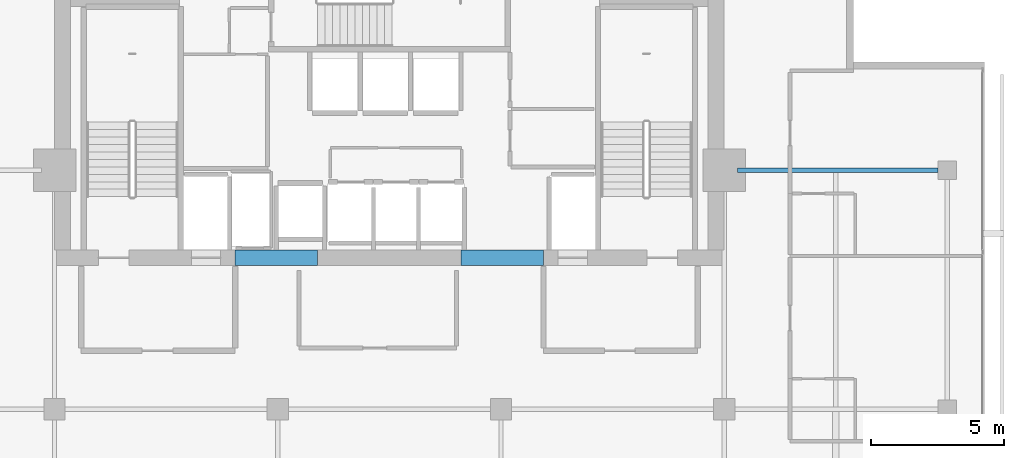
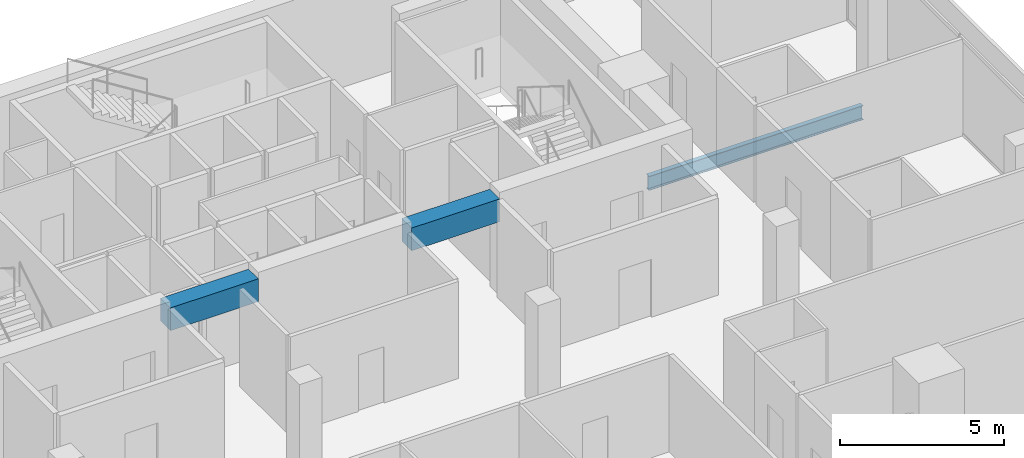
# One storey, part 17 of 25: 3 beams.
"""IFC4 building model written with IfcOpenShell, lengths in metres."""

from ifc_helpers import new_model, si_unit, direction, frame, origin, origin_2d, place, context, subcontext, project, spatial, rectangle, i_section, extrude, material, material_profile, profile_set, type_object, element, save


model = new_model("IFC4")

# Units and contexts
model_context = context("Model", 3, precision=1e-05, world=origin(), true_north=direction((0.0, 1.0)))
body_context = subcontext(model_context, "Body", "Model", "MODEL_VIEW")
ifc_project = project(units=[si_unit("LENGTHUNIT", "METRE"), si_unit("AREAUNIT", "SQUARE_METRE"), si_unit("VOLUMEUNIT", "CUBIC_METRE"), si_unit("PLANEANGLEUNIT", "RADIAN"), si_unit("MASSUNIT", "GRAM", prefix="KILO")], contexts=[model_context])

# Site, building, storey
site_placement = place(None, origin())
site = spatial("IfcSite", under=ifc_project, at=site_placement, CompositionType="ELEMENT")
building_placement = place(site_placement, origin())
building = spatial("IfcBuilding", under=site, at=building_placement, Name="Maruvema Waterfront Hotel and Observation Tower", CompositionType="ELEMENT")
storey_placement = place(building_placement, frame((0.0, 0.0, 304.85009765625)))
storey = spatial("IfcBuildingStorey", under=building, at=storey_placement, Name="L75", CompositionType="ELEMENT", Elevation=304.85009765625)

# Beams
ifc_material_1 = material(Name="Concrete C60/75", Category="concrete")
ifc_material_profile_1 = material_profile(ifc_material_1, rectangle(XDim=0.60009765625, YDim=0.85009765625, at=origin_2d()), Name="CB600x850")
ifc_profile_set_1 = profile_set([ifc_material_profile_1], Name="Concrete C60/75")
beam_type_1 = type_object("IfcBeamType", Name="Core Coupling Lintel Beam CB600x850", PredefinedType="LINTEL", material=ifc_profile_set_1)
for number, where, z_axis, x_axis, name in (
    (1, (32.0, 41.699951171875, 3.184814453125), (1.0, 0.0, 0.0), (0.0, 1.0, 0.0), "L75 Core Coupling Lintel Beam West"),
    (2, (40.5, 41.699951171875, 3.184814453125), (1.0, 0.0, 0.0), (0.0, 1.0, 0.0), "L75 Core Coupling Lintel Beam East"),
):
    element("IfcBeam", number, at=place(storey_placement, frame(where, z_axis=z_axis, x_axis=x_axis)), inside=storey, type_object=beam_type_1, Name=name, PredefinedType="LINTEL", context=body_context, shape_type="SweptSolid", body=[
        extrude(rectangle(XDim=0.60009765625, YDim=0.85009765625, at=origin_2d()), origin(), (0.0, 0.0, 1.0), 3.10009765625),
    ])
ifc_material_2 = material(Name="Steel ASTM A572 Grade 50", Category="steel")
ifc_material_profile_2 = material_profile(ifc_material_2, i_section(OverallWidth=0.166015625, OverallDepth=0.529052734375, WebThickness=0.009765625, FlangeThickness=0.013671875, FilletRadius=0.014892578125, at=origin_2d()), Name="W530x74.0")
ifc_profile_set_2 = profile_set([ifc_material_profile_2], Name="Steel ASTM A572 Grade 50")
beam_type_2 = type_object("IfcBeamType", Name="Primary Floor Girder W530x74.0", PredefinedType="BEAM", material=ifc_profile_set_2)
beam_placement = place(storey_placement, frame((50.89990234375, 45.0, -0.504638671875), z_axis=(1.0, 0.0, 0.0), x_axis=(0.0, 1.0, 0.0)))
element("IfcBeam", 3, at=beam_placement, inside=storey, type_object=beam_type_2, Name="L75 Floor Girder EW-18", PredefinedType="BEAM", context=body_context, shape_type="SweptSolid", body=[
    extrude(i_section(OverallWidth=0.166015625, OverallDepth=0.529052734375, WebThickness=0.009765625, FlangeThickness=0.013671875, FilletRadius=0.014892578125, at=origin_2d()), origin(), (0.0, 0.0, 1.0), 7.550048828125),
])

save(model, "model.ifc")
